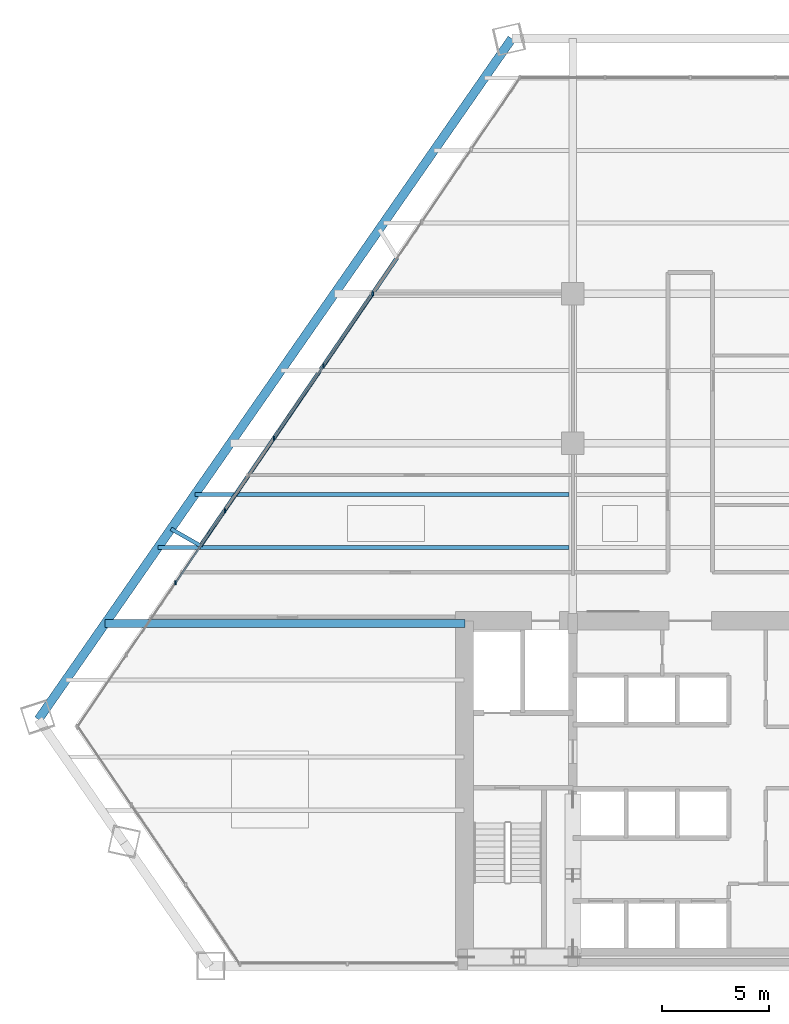
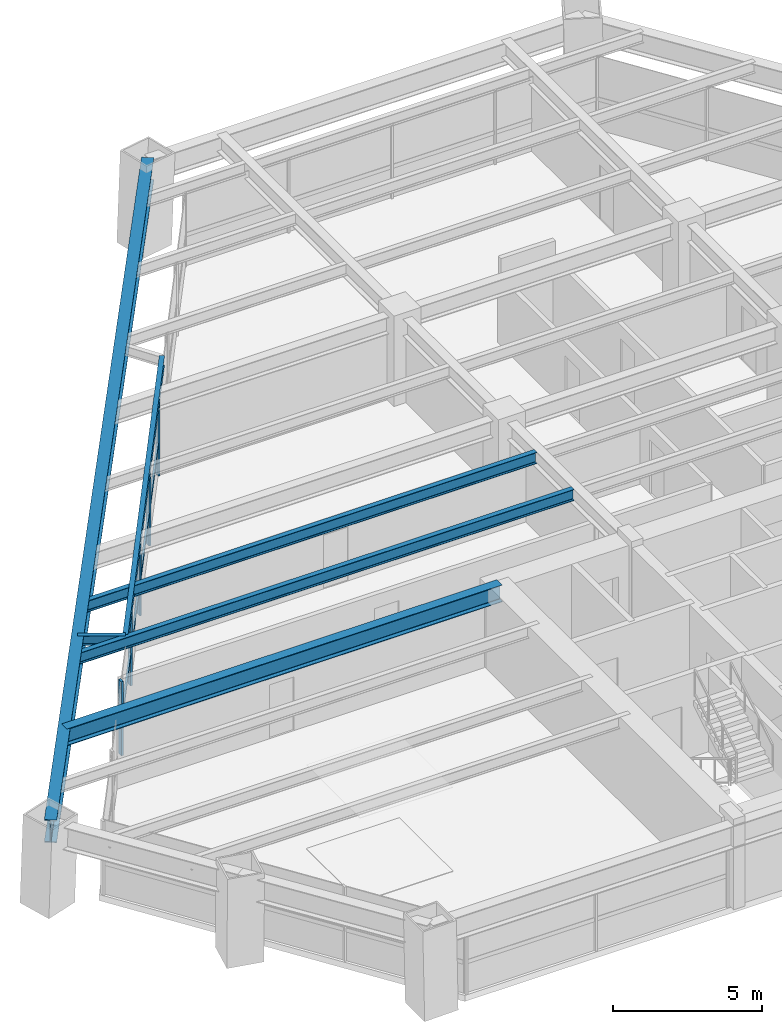
# One storey, part 4 of 13: 9 members, 6 beams, 1 element without a shape of its own.
"""IFC4 building model written with IfcOpenShell, lengths in metres."""

from ifc_helpers import new_model, si_unit, direction, frame, origin, origin_2d, place, context, subcontext, project, spatial, rectangle, i_section, extrude, source, transform, mapped, material, material_profile, profile_set, type_object, type_shapes, element, aggregate, save


model = new_model("IFC4")

# Units and contexts
model_context = context("Model", 3, precision=1e-05, world=origin(), true_north=direction((0.0, 1.0)))
body_context = subcontext(model_context, "Body", "Model", "MODEL_VIEW")
ifc_project = project(units=[si_unit("LENGTHUNIT", "METRE"), si_unit("AREAUNIT", "SQUARE_METRE"), si_unit("VOLUMEUNIT", "CUBIC_METRE"), si_unit("PLANEANGLEUNIT", "RADIAN"), si_unit("MASSUNIT", "GRAM", prefix="KILO")], contexts=[model_context])

# Site, building, storey
site_placement = place(None, origin())
site = spatial("IfcSite", under=ifc_project, at=site_placement, CompositionType="ELEMENT")
building_placement = place(site_placement, origin())
building = spatial("IfcBuilding", under=site, at=building_placement, Name="Varnakhor Terracotta Tower", CompositionType="ELEMENT")
storey_placement = place(building_placement, frame((0.0, 0.0, 27.5)))
storey = spatial("IfcBuildingStorey", under=building, at=storey_placement, Name="L05", CompositionType="ELEMENT", Elevation=27.5)

# Beams
ifc_material_1 = material(Name="Steel S355", Category="steel")
ifc_material_profile_1 = material_profile(ifc_material_1, i_section(OverallWidth=0.41796875, OverallDepth=0.927001953125, WebThickness=0.01904296875, FlangeThickness=0.031982421875, FilletRadius=0.01806640625, at=origin_2d()), Name="W36X231")
ifc_profile_set_1 = profile_set([ifc_material_profile_1], Name="Steel S355")
beam_type_1 = type_object("IfcBeamType", Name="BM-W36X231", PredefinedType="BEAM", material=ifc_profile_set_1)
shared_shape_1 = source(origin(), body_context, "Body", "SweptSolid", [
    extrude(i_section(OverallWidth=0.41796875, OverallDepth=0.927001953125, WebThickness=0.01904296875, FlangeThickness=0.031982421875, FilletRadius=0.01806640625, at=origin_2d()), origin(), (0.0, 0.0, 1.0), 38.83935546875),
])
beam_1_placement = place(storey_placement, frame((-8.357177734375, 43.44287109375, 2.986572265625), z_axis=(-0.570872564569, -0.821038680589, 0.0), x_axis=(0.821038680589, -0.570872564569, 0.0)))
element("IfcBeam", 1, at=beam_1_placement, inside=storey, type_object=beam_type_1, Name="L05 Perimeter Spandrel 6", PredefinedType="BEAM", context=body_context, shape_type="MappedRepresentation", body=[
    mapped(shared_shape_1, transform((0.0, 0.0, 0.0), scale=1.0)),
])
ifc_material_profile_2 = material_profile(ifc_material_1, i_section(OverallWidth=0.179931640625, OverallDepth=0.39990234375, WebThickness=0.008544921875, FlangeThickness=0.013427734375, FilletRadius=0.01806640625, at=origin_2d()), Name="IPE400")
ifc_profile_set_2 = profile_set([ifc_material_profile_2], Name="Steel S355")
beam_type_2 = type_object("IfcBeamType", Name="JST-IPE400", PredefinedType="JOIST", material=ifc_profile_set_2)
shared_shape_2 = source(origin(), body_context, "Body", "SweptSolid", [
    extrude(i_section(OverallWidth=0.179931640625, OverallDepth=0.39990234375, WebThickness=0.008544921875, FlangeThickness=0.013427734375, FilletRadius=0.01806640625, at=origin_2d()), origin(), (0.0, 0.0, 1.0), 16.32666015625),
])
beam_2_placement = place(storey_placement, frame((-13.732666015625, 33.177978515625, 3.25), z_axis=(-0.563492719081, -0.826121029598, 0.0), x_axis=(0.826121029598, -0.563492719081, 0.0)))
element("IfcBeam", 2, at=beam_2_placement, inside=storey, type_object=beam_type_2, Name="L05 Loggia Edge Beam 2", PredefinedType="JOIST", context=body_context, shape_type="MappedRepresentation", body=[
    mapped(shared_shape_2, transform((0.0, 0.0, 0.0), scale=1.0)),
])
ifc_material_profile_3 = material_profile(ifc_material_1, i_section(OverallWidth=0.35498046875, OverallDepth=0.695068359375, WebThickness=0.014892578125, FlangeThickness=0.02490234375, FilletRadius=0.01806640625, at=origin_2d()), Name="W27X146")
ifc_profile_set_3 = profile_set([ifc_material_profile_3], Name="Steel S355")
beam_type_3 = type_object("IfcBeamType", Name="BM-W27X146", PredefinedType="BEAM", material=ifc_profile_set_3)
shared_shape_3 = source(origin(), body_context, "Body", "SweptSolid", [
    extrude(i_section(OverallWidth=0.35498046875, OverallDepth=0.695068359375, WebThickness=0.014892578125, FlangeThickness=0.02490234375, FilletRadius=0.01806640625, at=origin_2d()), origin(), (0.0, 0.0, 1.0), 16.853515625),
])
beam_3_placement = place(storey_placement, frame((-27.403564453125, 16.050048828125, 3.1025390625), z_axis=(1.0, 0.0, 0.0), x_axis=(0.0, 1.0, 0.0)))
element("IfcBeam", 3, at=beam_3_placement, inside=storey, type_object=beam_type_3, Name="L05 Wing Girder W", PredefinedType="BEAM", context=body_context, shape_type="MappedRepresentation", body=[
    mapped(shared_shape_3, transform((0.0, 0.0, 0.0), scale=1.0)),
])
ifc_material_profile_4 = material_profile(ifc_material_1, i_section(OverallWidth=0.19189453125, OverallDepth=0.462890625, WebThickness=0.010498046875, FlangeThickness=0.017578125, FilletRadius=0.01806640625, at=origin_2d()), Name="W18X60")
ifc_profile_set_4 = profile_set([ifc_material_profile_4], Name="Steel S355")
beam_type_4 = type_object("IfcBeamType", Name="JST-W18X60", PredefinedType="JOIST", material=ifc_profile_set_4)
shared_shape_4 = source(origin(), body_context, "Body", "SweptSolid", [
    extrude(i_section(OverallWidth=0.19189453125, OverallDepth=0.462890625, WebThickness=0.010498046875, FlangeThickness=0.017578125, FilletRadius=0.01806640625, at=origin_2d()), origin(), (0.0, 0.0, 1.0), 19.26171875),
])
beam_4_placement = place(storey_placement, frame((-24.935302734375, 19.60009765625, 3.218505859375), z_axis=(1.0, 0.0, 0.0), x_axis=(0.0, 1.0, 0.0)))
element("IfcBeam", 4, at=beam_4_placement, inside=storey, type_object=beam_type_4, Name="L05 Composite Floor Joist 4-1", PredefinedType="JOIST", context=body_context, shape_type="MappedRepresentation", body=[
    mapped(shared_shape_4, transform((0.0, 0.0, 0.0), scale=1.0)),
])
shared_shape_5 = source(origin(), body_context, "Body", "SweptSolid", [
    extrude(i_section(OverallWidth=0.19189453125, OverallDepth=0.462890625, WebThickness=0.010498046875, FlangeThickness=0.017578125, FilletRadius=0.01806640625, at=origin_2d()), origin(), (0.0, 0.0, 1.0), 17.5234375),
])
beam_5_placement = place(storey_placement, frame((-23.197021484375, 22.10009765625, 3.218505859375), z_axis=(1.0, 0.0, 0.0), x_axis=(0.0, 1.0, 0.0)))
element("IfcBeam", 5, at=beam_5_placement, inside=storey, type_object=beam_type_4, Name="L05 Composite Floor Joist 5-1", PredefinedType="JOIST", context=body_context, shape_type="MappedRepresentation", body=[
    mapped(shared_shape_5, transform((0.0, 0.0, 0.0), scale=1.0)),
])

# Curtain wall, members
ifc_material_2 = material(Name="Anodised Aluminium Curtain Wall System", Category="aluminium")
curtain_wall_type = type_object("IfcCurtainWallType", Name="CW-SYS-LOW-OFFICE", PredefinedType="NOTDEFINED", material=ifc_material_2)
curtain_wall_placement = place(storey_placement, origin())
curtain_wall = element("IfcCurtainWall", 6, at=curtain_wall_placement, inside=storey, type_object=curtain_wall_type, Name="L05 Facet Curtain Wall 1", PredefinedType="NOTDEFINED")
ifc_material_3 = material(Name="Anodised Aluminium 6063-T6", Category="aluminium")
ifc_material_profile_5 = material_profile(ifc_material_3, rectangle(XDim=0.074951171875, YDim=0.18505859375, at=origin_2d()), Name="ALU MULLION 75x185")
ifc_profile_set_5 = profile_set([ifc_material_profile_5], Name="Anodised Aluminium 6063-T6")
member_type_1 = type_object("IfcMemberType", Name="CWM-02", PredefinedType="MULLION", material=ifc_profile_set_5)
shared_shape_6 = source(origin(), body_context, "Body", "SweptSolid", [
    extrude(rectangle(XDim=0.074951171875, YDim=0.18505859375, at=origin_2d()), origin(), (0.0, 0.0, 1.0), 3.030029296875),
])
type_shapes(member_type_1, [shared_shape_6])
member_1_placement = place(storey_placement, frame((-24.10302734375, 17.957763671875, 0.0), z_axis=(0.0, 0.0, 1.0), x_axis=(1.0, 0.0, 0.0)))
member_1 = element("IfcMember", 7, at=member_1_placement, type_object=member_type_1, Name="L05 Facet Curtain Wall 1 Mullion 3", PredefinedType="MULLION", context=body_context, shape_type="MappedRepresentation", body=[
    mapped(shared_shape_6, transform((0.0, 0.0, 0.0), scale=1.0)),
])
member_2_placement = place(storey_placement, frame((-21.795166015625, 21.340576171875, 0.0), z_axis=(0.0, 0.0, 1.0), x_axis=(1.0, 0.0, 0.0)))
member_2 = element("IfcMember", 8, at=member_2_placement, type_object=member_type_1, Name="L05 Facet Curtain Wall 1 Mullion 4", PredefinedType="MULLION", context=body_context, shape_type="MappedRepresentation", body=[
    mapped(shared_shape_6, transform((0.0, 0.0, 0.0), scale=1.0)),
])
member_3_placement = place(storey_placement, frame((-19.4873046875, 24.723388671875, 0.0), z_axis=(0.0, 0.0, 1.0), x_axis=(1.0, 0.0, 0.0)))
member_3 = element("IfcMember", 9, at=member_3_placement, type_object=member_type_1, Name="L05 Facet Curtain Wall 1 Mullion 5", PredefinedType="MULLION", context=body_context, shape_type="MappedRepresentation", body=[
    mapped(shared_shape_6, transform((0.0, 0.0, 0.0), scale=1.0)),
])
member_4_placement = place(storey_placement, frame((-17.179443359375, 28.106201171875, 0.0), z_axis=(0.0, 0.0, 1.0), x_axis=(1.0, 0.0, 0.0)))
member_4 = element("IfcMember", 10, at=member_4_placement, type_object=member_type_1, Name="L05 Facet Curtain Wall 1 Mullion 6", PredefinedType="MULLION", context=body_context, shape_type="MappedRepresentation", body=[
    mapped(shared_shape_6, transform((0.0, 0.0, 0.0), scale=1.0)),
])
member_5_placement = place(storey_placement, frame((-14.87158203125, 31.489013671875, 0.0), z_axis=(0.0, 0.0, 1.0), x_axis=(1.0, 0.0, 0.0)))
member_5 = element("IfcMember", 11, at=member_5_placement, type_object=member_type_1, Name="L05 Facet Curtain Wall 1 Mullion 7", PredefinedType="MULLION", context=body_context, shape_type="MappedRepresentation", body=[
    mapped(shared_shape_6, transform((0.0, 0.0, 0.0), scale=1.0)),
])
ifc_material_profile_6 = material_profile(ifc_material_3, rectangle(XDim=0.074951171875, YDim=0.1650390625, at=origin_2d()), Name="ALU TRANSOM 75x165")
ifc_profile_set_6 = profile_set([ifc_material_profile_6], Name="Anodised Aluminium 6063-T6")
member_type_2 = type_object("IfcMemberType", Name="CWT-02", PredefinedType="USERDEFINED", material=ifc_profile_set_6)
shared_shape_7 = source(origin(), body_context, "Body", "SweptSolid", [
    extrude(rectangle(XDim=0.074951171875, YDim=0.1650390625, at=origin_2d()), origin(), (0.0, 0.0, 1.0), 4.094970703125),
])
type_shapes(member_type_2, [shared_shape_7])
member_6_placement = place(storey_placement, frame((-24.10302734375, 17.957763671875, 1.272705078125), z_axis=(0.563569893016, 0.826068384389, 0.0), x_axis=(-0.826068384389, 0.563569893016, 0.0)))
member_6 = element("IfcMember", 12, at=member_6_placement, type_object=member_type_2, Name="L05 Facet Curtain Wall 1 Transom 3", ObjectType="TRANSOM", PredefinedType="USERDEFINED", context=body_context, shape_type="MappedRepresentation", body=[
    mapped(shared_shape_7, transform((0.0, 0.0, 0.0), scale=1.0)),
])
member_7_placement = place(storey_placement, frame((-21.795166015625, 21.340576171875, 1.272705078125), z_axis=(0.563569893016, 0.826068384389, 0.0), x_axis=(-0.826068384389, 0.563569893016, 0.0)))
member_7 = element("IfcMember", 13, at=member_7_placement, type_object=member_type_2, Name="L05 Facet Curtain Wall 1 Transom 4", ObjectType="TRANSOM", PredefinedType="USERDEFINED", context=body_context, shape_type="MappedRepresentation", body=[
    mapped(shared_shape_7, transform((0.0, 0.0, 0.0), scale=1.0)),
])
member_8_placement = place(storey_placement, frame((-19.4873046875, 24.723388671875, 1.272705078125), z_axis=(0.563569893016, 0.826068384389, 0.0), x_axis=(-0.826068384389, 0.563569893016, 0.0)))
member_8 = element("IfcMember", 14, at=member_8_placement, type_object=member_type_2, Name="L05 Facet Curtain Wall 1 Transom 5", ObjectType="TRANSOM", PredefinedType="USERDEFINED", context=body_context, shape_type="MappedRepresentation", body=[
    mapped(shared_shape_7, transform((0.0, 0.0, 0.0), scale=1.0)),
])
member_9_placement = place(storey_placement, frame((-17.179443359375, 28.106201171875, 1.272705078125), z_axis=(0.563569893016, 0.826068384389, 0.0), x_axis=(-0.826068384389, 0.563569893016, 0.0)))
member_9 = element("IfcMember", 15, at=member_9_placement, type_object=member_type_2, Name="L05 Facet Curtain Wall 1 Transom 6", ObjectType="TRANSOM", PredefinedType="USERDEFINED", context=body_context, shape_type="MappedRepresentation", body=[
    mapped(shared_shape_7, transform((0.0, 0.0, 0.0), scale=1.0)),
])
aggregate(curtain_wall, [member_1, member_6, member_2, member_7, member_3, member_8, member_4, member_9, member_5])

# Beam
shared_shape_8 = source(origin(), body_context, "Body", "SweptSolid", [
    extrude(i_section(OverallWidth=0.179931640625, OverallDepth=0.39990234375, WebThickness=0.008544921875, FlangeThickness=0.013427734375, FilletRadius=0.01806640625, at=origin_2d()), origin(), (0.0, 0.0, 1.0), 1.59912109375),
])
beam_6_placement = place(storey_placement, frame((-22.9326171875, 19.690185546875, 3.25), z_axis=(-0.868459164498, 0.495760708003, 0.0), x_axis=(-0.495760708003, -0.868459164498, 0.0)))
element("IfcBeam", 16, at=beam_6_placement, inside=storey, type_object=beam_type_2, Name="L06 W Loggia Tie Beam 1", PredefinedType="JOIST", context=body_context, shape_type="MappedRepresentation", body=[
    mapped(shared_shape_8, transform((0.0, 0.0, 0.0), scale=1.0)),
])

save(model, "model.ifc")
